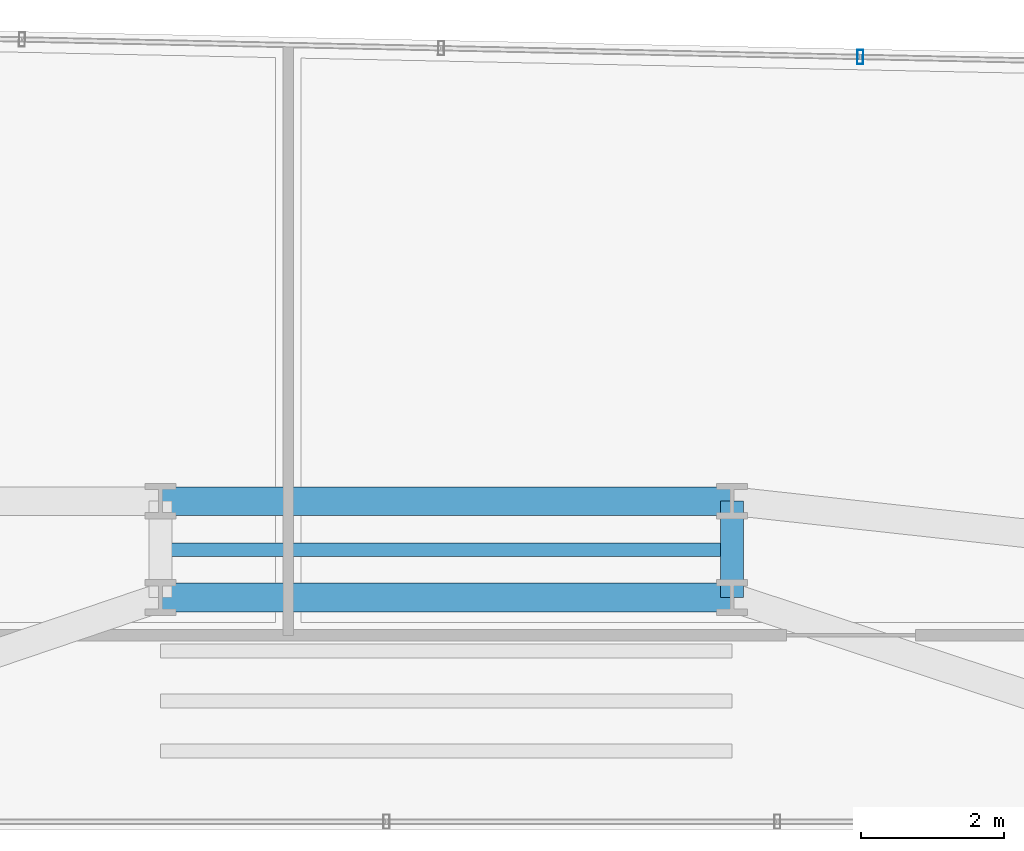
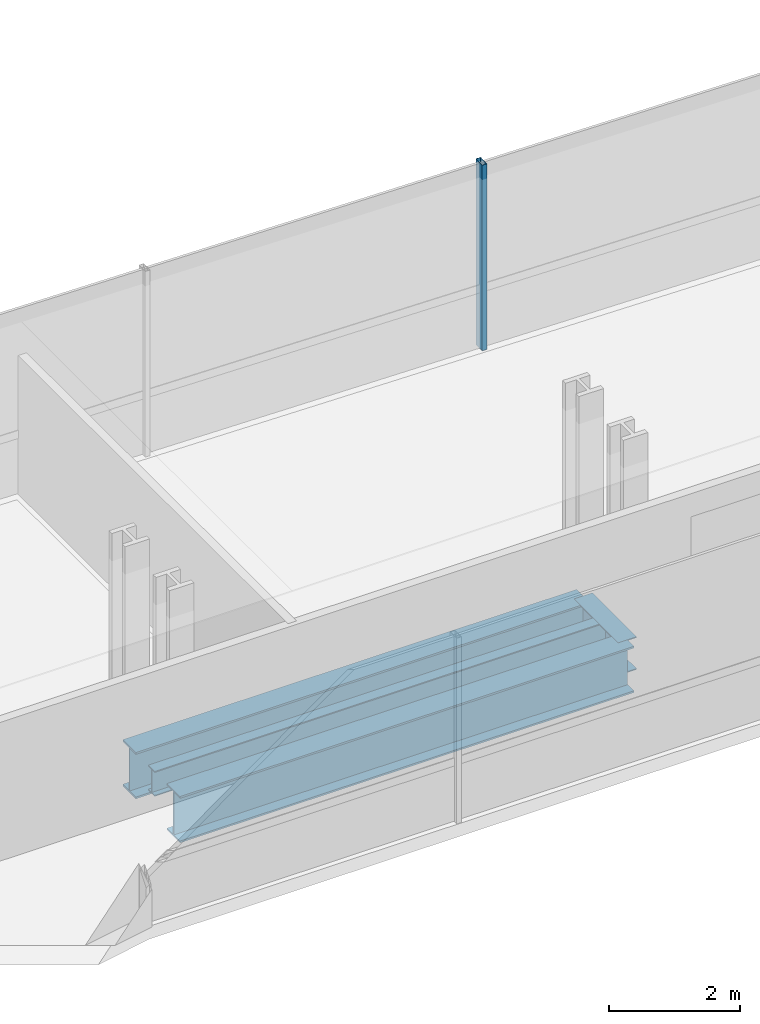
# One storey, part 21 of 40: 4 beams, 1 member, 1 element without a shape of its own.
"""IFC4 building model written with IfcOpenShell, lengths in metres."""

from ifc_helpers import new_model, si_unit, direction, frame, origin, origin_2d, place, context, subcontext, project, spatial, hollow_rectangle, i_section, extrude, source, transform, mapped, material, material_profile, profile_set, type_object, element, aggregate, save


model = new_model("IFC4")

# Units and contexts
model_context = context("Model", 3, precision=1e-05, world=origin(), true_north=direction((0.0, 1.0)))
body_context = subcontext(model_context, "Body", "Model", "MODEL_VIEW")
ifc_project = project(units=[si_unit("LENGTHUNIT", "METRE"), si_unit("AREAUNIT", "SQUARE_METRE"), si_unit("VOLUMEUNIT", "CUBIC_METRE"), si_unit("PLANEANGLEUNIT", "RADIAN"), si_unit("MASSUNIT", "GRAM", prefix="KILO")], contexts=[model_context])

# Site, building, storey
site_placement = place(None, origin())
site = spatial("IfcSite", under=ifc_project, at=site_placement, CompositionType="ELEMENT")
building_placement = place(site_placement, origin())
building = spatial("IfcBuilding", under=site, at=building_placement, Name="Valdorenza Pilgrim Sanctuary Tower", CompositionType="ELEMENT")
storey_placement = place(building_placement, frame((0.0, 0.0, 66.699951171875)))
storey = spatial("IfcBuildingStorey", under=building, at=storey_placement, Name="L16", CompositionType="ELEMENT", Elevation=66.699951171875)

# Beams
ifc_material_1 = material(Name="Steel ASTM A992 Grade 50", Category="steel")
ifc_material_profile_1 = material_profile(ifc_material_1, i_section(OverallWidth=0.39990234375, OverallDepth=0.862060546875, WebThickness=0.019775390625, FlangeThickness=0.032470703125, at=origin_2d()), Name="W33X221")
ifc_profile_set_1 = profile_set([ifc_material_profile_1], Name="Steel ASTM A992 Grade 50")
beam_type_1 = type_object("IfcBeamType", Name="STR-BM-GRD-W33", PredefinedType="BEAM", material=ifc_profile_set_1)
shared_shape_1 = source(origin(), body_context, "Body", "SweptSolid", [
    extrude(i_section(OverallWidth=0.39990234375, OverallDepth=0.862060546875, WebThickness=0.019775390625, FlangeThickness=0.032470703125, at=origin_2d()), origin(), (0.0, 0.0, 1.0), 8.0),
])
for number, where, z_axis, x_axis, name in (
    (1, (-4.0, 13.449951171875, -0.6708984375), (1.0, 0.0, 0.0), (0.0, 1.0, 0.0), "L16 Floor Girder KNK-G2"),
    (2, (-4.0, 14.800048828125, -0.6708984375), (1.0, 0.0, 0.0), (0.0, 1.0, 0.0), "L16 Floor Girder KNK-G5"),
):
    element("IfcBeam", number, at=place(storey_placement, frame(where, z_axis=z_axis, x_axis=x_axis)), inside=storey, type_object=beam_type_1, Name=name, PredefinedType="BEAM", context=body_context, shape_type="MappedRepresentation", body=[
        mapped(shared_shape_1, transform((0.0, 0.0, 0.0), x_axis=(1.0, 0.0, 0.0), y_axis=(0.0, 1.0, 0.0), z_axis=(0.0, 0.0, 1.0), scale=1.0)),
    ])
ifc_material_profile_2 = material_profile(ifc_material_1, i_section(OverallWidth=0.323974609375, OverallDepth=0.611083984375, WebThickness=0.0126953125, FlangeThickness=0.01904296875, at=origin_2d()), Name="W24X104")
ifc_profile_set_2 = profile_set([ifc_material_profile_2], Name="Steel ASTM A992 Grade 50")
beam_type_2 = type_object("IfcBeamType", Name="STR-BM-GRD-W24B", PredefinedType="BEAM", material=ifc_profile_set_2)
shared_shape_2 = source(origin(), body_context, "Body", "SweptSolid", [
    extrude(i_section(OverallWidth=0.323974609375, OverallDepth=0.611083984375, WebThickness=0.0126953125, FlangeThickness=0.01904296875, at=origin_2d()), origin(), (0.0, 0.0, 1.0), 1.35009765625),
])
beam_1_placement = place(storey_placement, frame((4.0, 13.449951171875, -0.54541015625), z_axis=(0.0, 1.0, 0.0), x_axis=(-1.0, 0.0, 0.0)))
element("IfcBeam", 3, at=beam_1_placement, inside=storey, type_object=beam_type_2, Name="L16 Floor Girder KNK-TIE-E", PredefinedType="BEAM", context=body_context, shape_type="MappedRepresentation", body=[
    mapped(shared_shape_2, transform((0.0, 0.0, 0.0), x_axis=(1.0, 0.0, 0.0), y_axis=(0.0, 1.0, 0.0), z_axis=(0.0, 0.0, 1.0), scale=1.0)),
])
ifc_material_profile_3 = material_profile(ifc_material_1, i_section(OverallWidth=0.193115234375, OverallDepth=0.466064453125, WebThickness=0.011474609375, FlangeThickness=0.01904296875, at=origin_2d()), Name="W18X65")
ifc_profile_set_3 = profile_set([ifc_material_profile_3], Name="Steel ASTM A992 Grade 50")
beam_type_3 = type_object("IfcBeamType", Name="STR-BM-JST-W18A", PredefinedType="JOIST", material=ifc_profile_set_3)
shared_shape_3 = source(origin(), body_context, "Body", "SweptSolid", [
    extrude(i_section(OverallWidth=0.193115234375, OverallDepth=0.466064453125, WebThickness=0.011474609375, FlangeThickness=0.01904296875, at=origin_2d()), origin(), (0.0, 0.0, 1.0), 8.0),
])
beam_2_placement = place(storey_placement, frame((-4.0, 14.1201171875, -0.472900390625), z_axis=(1.0, 0.0, 0.0), x_axis=(0.0, 1.0, 0.0)))
element("IfcBeam", 4, at=beam_2_placement, inside=storey, type_object=beam_type_3, Name="L16 Knuckle Composite Joist JST-KNK-4", PredefinedType="JOIST", context=body_context, shape_type="MappedRepresentation", body=[
    mapped(shared_shape_3, transform((0.0, 0.0, 0.0), x_axis=(1.0, 0.0, 0.0), y_axis=(0.0, 1.0, 0.0), z_axis=(0.0, 0.0, 1.0), scale=1.0)),
])

# Curtain wall, member
ifc_material_2 = material(Name="Curtain-wall IGU glazing", Category="glass")
curtain_wall_type = type_object("IfcCurtainWallType", Name="CW-SYS-02", PredefinedType="NOTDEFINED", material=ifc_material_2)
curtain_wall_placement = place(storey_placement, origin())
curtain_wall = element("IfcCurtainWall", 5, at=curtain_wall_placement, inside=storey, type_object=curtain_wall_type, Name="L16 Curtain Wall CW-L16-1-11", PredefinedType="NOTDEFINED")
ifc_material_3 = material(Name="Anodised aluminium AW-6060", Category="aluminium")
ifc_material_profile_4 = material_profile(ifc_material_3, hollow_rectangle(XDim=0.0849609375, YDim=0.199951171875, WallThickness=0.0048828125, at=origin_2d()), Name="ALU-M 200x85x5")
ifc_profile_set_4 = profile_set([ifc_material_profile_4], Name="Anodised aluminium AW-6060")
member_type = type_object("IfcMemberType", Name="CW-MUL-02", PredefinedType="MULLION", material=ifc_profile_set_4)
shared_shape_4 = source(origin(), body_context, "Body", "SweptSolid", [
    extrude(hollow_rectangle(XDim=0.0849609375, YDim=0.199951171875, WallThickness=0.0048828125, at=origin_2d()), origin(), (0.0, 0.0, 1.0), 3.4599609375),
])
member_placement = place(storey_placement, frame((5.797119140625, 21.019287109375, 0.0), z_axis=(0.0, 0.0, 1.0), x_axis=(0.999783234613, -0.020820273474, 0.0)))
member = element("IfcMember", 6, at=member_placement, type_object=member_type, Name="CW-L16-1-11 Mullion 4", PredefinedType="MULLION", context=body_context, shape_type="MappedRepresentation", body=[
    mapped(shared_shape_4, transform((0.0, 0.0, 0.0), x_axis=(1.0, 0.0, 0.0), y_axis=(0.0, 1.0, 0.0), z_axis=(0.0, 0.0, 1.0), scale=1.0)),
])
aggregate(curtain_wall, [member])

save(model, "model.ifc")
